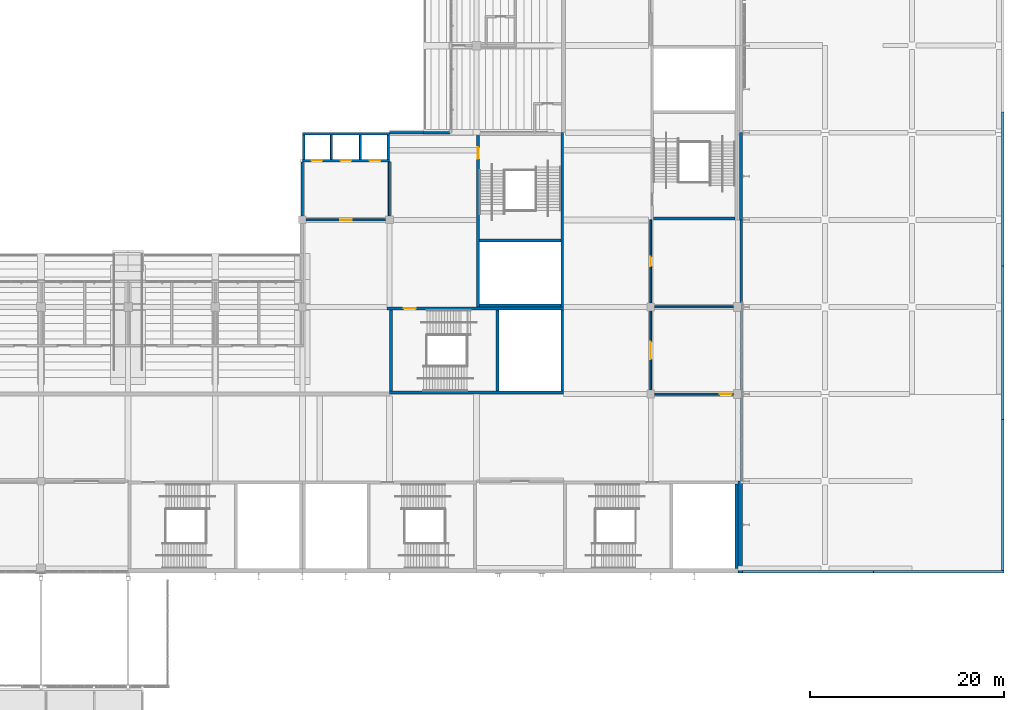
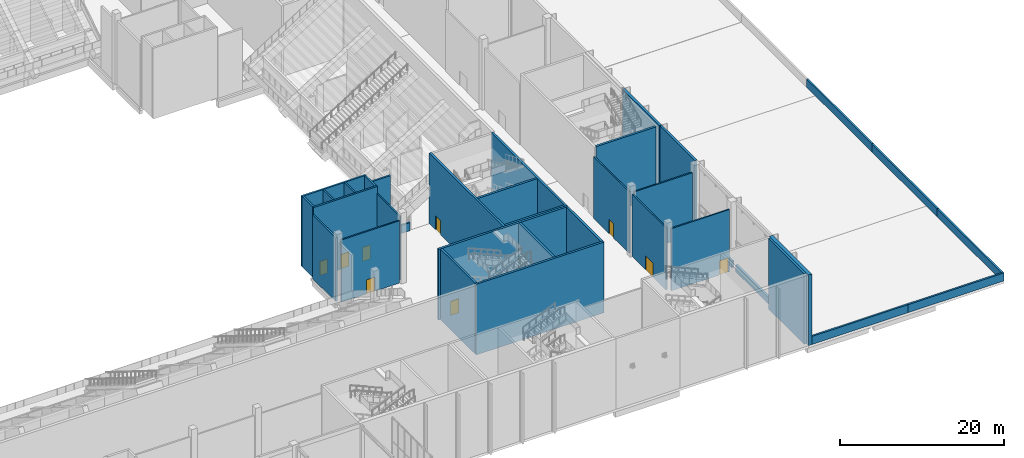
# One storey, part 88 of 182: 36 walls, 9 doors, 9 openings.
"""IFC4 building model written with IfcOpenShell, lengths in metres."""

from ifc_helpers import new_model, si_unit, direction, frame, frame_2d, origin, place, context, subcontext, project, spatial, rectangle, extrude, material, layer, layer_set, type_object, element, fill, save


model = new_model("IFC4")

# Units and contexts
model_context = context("Model", 3, precision=1e-05, world=origin(), true_north=direction((0.0, 1.0)))
body_context = subcontext(model_context, "Body", "Model", "MODEL_VIEW")
ifc_project = project(units=[si_unit("LENGTHUNIT", "METRE"), si_unit("AREAUNIT", "SQUARE_METRE"), si_unit("VOLUMEUNIT", "CUBIC_METRE"), si_unit("PLANEANGLEUNIT", "RADIAN"), si_unit("MASSUNIT", "GRAM", prefix="KILO")], contexts=[model_context])

# Site, building, storey
site_placement = place(None, origin())
site = spatial("IfcSite", under=ifc_project, at=site_placement, CompositionType="ELEMENT")
building_placement = place(site_placement, origin())
building = spatial("IfcBuilding", under=site, at=building_placement, Name="Silverbay Arena", CompositionType="ELEMENT")
storey_placement = place(building_placement, frame((0.0, 0.0, 11.5)))
storey = spatial("IfcBuildingStorey", under=building, at=storey_placement, Name="L02", CompositionType="ELEMENT", Elevation=11.5)

# Walls
ifc_material_1 = material(Name="Concrete Grade C45", Category="concrete")
ifc_layer_1 = layer(ifc_material_1, 0.25)
ifc_layer_set_1 = layer_set([ifc_layer_1], Name="Concrete Grade C45")
wall_type_1 = type_object("IfcWallType", Name="Bowl enclosure wall RC 250 EI 120", PredefinedType="SOLIDWALL", material=ifc_layer_set_1)
wall_1_placement = place(storey_placement, frame((162.0, 54.39990234375, 0.0), z_axis=(0.0, 0.0, 1.0), x_axis=(0.0, 1.0, 0.0)))
element("IfcWall", 1, at=wall_1_placement, inside=storey, type_object=wall_type_1, Name="Bowl enclosure wall, corner block SE-x", PredefinedType="SOLIDWALL", context=body_context, shape_type="SweptSolid", body=[
    extrude(rectangle(XDim=5.60009765625, YDim=0.25, at=frame_2d((2.800048828125, 0.0))), origin(), (0.0, 0.0, 1.0), 9.449951171875),
])
wall_2_placement = place(storey_placement, frame((171.0, 63.0, 0.0), z_axis=(0.0, 0.0, 1.0), x_axis=(1.0, 0.0, 0.0)))
element("IfcWall", 2, at=wall_2_placement, inside=storey, type_object=wall_type_1, Name="Bowl enclosure wall, corner block SE-y", PredefinedType="SOLIDWALL", context=body_context, shape_type="SweptSolid", body=[
    extrude(rectangle(XDim=3.5, YDim=0.25, at=frame_2d((1.75, 0.0))), origin(), (0.0, 0.0, 1.0), 9.14990234375),
])
wall_3_placement = place(storey_placement, frame((174.5, 63.0, 0.0), z_axis=(0.0, 0.0, 1.0), x_axis=(1.0, 0.0, 0.0)))
element("IfcWall", 3, at=wall_3_placement, inside=storey, type_object=wall_type_1, Name="Bowl enclosure wall, corner block SE-y", PredefinedType="SOLIDWALL", context=body_context, shape_type="SweptSolid", body=[
    extrude(rectangle(XDim=2.75, YDim=0.25, at=frame_2d((1.375, 0.0))), origin(), (0.0, 0.0, 1.0), 1.217041015625),
])
ifc_material_2 = material(Name="Concrete Grade C45 precast, light finish", Category="concrete")
ifc_layer_2 = layer(ifc_material_2, 0.300048828125)
ifc_layer_set_2 = layer_set([ifc_layer_2], Name="Concrete Grade C45 precast, light finish")
wall_type_2 = type_object("IfcWallType", Name="Cladded external wall 300", PredefinedType="SOLIDWALL", material=ifc_layer_set_2)
wall_4_placement = place(storey_placement, frame((207.35009765625, 27.0, 0.0), z_axis=(0.0, 0.0, 1.0), x_axis=(0.0, 1.0, 0.0)))
element("IfcWall", 4, at=wall_4_placement, inside=storey, type_object=wall_type_2, Name="East sill wall L02 bay 2", PredefinedType="SOLIDWALL", context=body_context, shape_type="SweptSolid", body=[
    extrude(rectangle(XDim=8.550048828125, YDim=0.300048828125, at=frame_2d((4.27490234375, 0.0))), origin(), (0.0, 0.0, 1.0), 1.0),
])
wall_5_placement = place(storey_placement, frame((207.35009765625, 36.449951171875, 0.0), z_axis=(0.0, 0.0, 1.0), x_axis=(0.0, 1.0, 0.0)))
element("IfcWall", 5, at=wall_5_placement, inside=storey, type_object=wall_type_2, Name="East sill wall L02 bay 3", PredefinedType="SOLIDWALL", context=body_context, shape_type="SweptSolid", body=[
    extrude(rectangle(XDim=8.10009765625, YDim=0.300048828125, at=frame_2d((4.050048828125, 0.0))), origin(), (0.0, 0.0, 1.0), 1.0),
])
wall_6_placement = place(storey_placement, frame((207.35009765625, 45.449951171875, 0.0), z_axis=(0.0, 0.0, 1.0), x_axis=(0.0, 1.0, 0.0)))
element("IfcWall", 6, at=wall_6_placement, inside=storey, type_object=wall_type_2, Name="East external wall L02 bay 4", PredefinedType="SOLIDWALL", context=body_context, shape_type="SweptSolid", body=[
    extrude(rectangle(XDim=8.550048828125, YDim=0.300048828125, at=frame_2d((4.27490234375, 0.0))), origin(), (0.0, 0.0, 1.0), 10.5),
])
ifc_material_3 = material(Name="Concrete Grade C45", Category="concrete")
ifc_layer_3 = layer(ifc_material_3, 0.300048828125)
ifc_layer_set_3 = layer_set([ifc_layer_3], Name="Concrete Grade C45")
wall_type_3 = type_object("IfcWallType", Name="Core wall RC 300 EI 120", PredefinedType="SHEAR", material=ifc_layer_set_3)
wall_7_placement = place(storey_placement, frame((206.85009765625, 26.699951171875, 0.0), z_axis=(0.0, 0.0, 1.0), x_axis=(0.0, -1.0, 0.0)))
element("IfcWall", 7, at=wall_7_placement, inside=storey, type_object=wall_type_3, Name="Core wall ST-S6 L02 end 2", PredefinedType="SHEAR", context=body_context, shape_type="SweptSolid", body=[
    extrude(rectangle(XDim=8.699951171875, YDim=0.300048828125, at=frame_2d((4.35009765625, 0.0))), origin(), (0.0, 0.0, 1.0), 10.5),
])
wall_8_placement = place(storey_placement, frame((198.300048828125, 54.14990234375, 0.0), z_axis=(0.0, 0.0, 1.0), x_axis=(1.0, 0.0, 0.0)))
element("IfcWall", 8, at=wall_8_placement, inside=storey, type_object=wall_type_3, Name="Core wall ST-E1 L02 end 1", PredefinedType="SHEAR", context=body_context, shape_type="SweptSolid", body=[
    extrude(rectangle(XDim=8.39990234375, YDim=0.300048828125, at=frame_2d((4.199951171875, 0.0))), origin(), (0.0, 0.0, 1.0), 10.5),
])

# Wall, opening, door
wall_9_placement = place(storey_placement, frame((170.75, 44.85009765625, 0.0), z_axis=(0.0, 0.0, 1.0), x_axis=(1.0, 0.0, 0.0)))
wall_9 = element("IfcWall", 9, at=wall_9_placement, inside=storey, type_object=wall_type_3, Name="Core wall ST-SE1 L02 door side", PredefinedType="SHEAR", context=body_context, shape_type="SweptSolid", body=[
    extrude(rectangle(XDim=18.25, YDim=0.300048828125, at=frame_2d((9.125, 0.0))), origin(), (0.0, 0.0, 1.0), 10.5),
])
opening_1_placement = place(wall_9_placement, frame((1.75, 0.0, 0.0)))
opening_1 = element("IfcOpeningElement", 10, at=opening_1_placement, cuts=wall_9, Name="Opening L02-093", PredefinedType="OPENING", context=body_context, shape_type="SweptSolid", body=[
    extrude(rectangle(XDim=1.199951171875, YDim=2.10009765625, at=frame_2d((0.60009765625, 1.050048828125))), frame((0.0, 0.16015625, 0.0), z_axis=(0.0, -1.0, 0.0), x_axis=(1.0, 0.0, 0.0)), (0.0, 0.0, 1.0), 0.320068359375),
])
ifc_material_4 = material(Name="Steel fire door", Category="steel")
door_type_1 = type_object("IfcDoorType", Name="Stair door 1200 x 2100 fire door", OperationType="SINGLE_SWING_LEFT", PredefinedType="DOOR", material=ifc_material_4)
door_1_placement = place(opening_1_placement, frame((1.199951171875, 0.0, 0.0), z_axis=(0.0, 0.0, 1.0), x_axis=(-1.0, 0.0, 0.0)))
door_1 = element("IfcDoor", 11, at=door_1_placement, inside=storey, type_object=door_type_1, Name="Stair door ST-SE1 L02", OperationType="SINGLE_SWING_RIGHT", OverallHeight=2.10009765625, OverallWidth=1.199951171875, PredefinedType="DOOR", context=body_context, shape_type="SweptSolid", body=[
    extrude(rectangle(XDim=1.199951171875, YDim=2.10009765625, at=frame_2d((0.60009765625, 1.050048828125))), frame((0.0, 0.02490234375, 0.0), z_axis=(0.0, -1.0, 0.0), x_axis=(1.0, 0.0, 0.0)), (0.0, 0.0, 1.0), 0.050048828125),
])
fill(opening_1, door_1)

# Walls
wall_10_placement = place(storey_placement, frame((171.0, 36.14990234375, 0.0), z_axis=(0.0, 0.0, 1.0), x_axis=(1.0, 0.0, 0.0)))
element("IfcWall", 12, at=wall_10_placement, inside=storey, type_object=wall_type_3, Name="Core wall ST-SE1 L02 far side", PredefinedType="SHEAR", context=body_context, shape_type="SweptSolid", body=[
    extrude(rectangle(XDim=18.0, YDim=0.300048828125, at=frame_2d((9.0, 0.0))), origin(), (0.0, 0.0, 1.0), 10.5),
])
for number, where, z_axis, x_axis, name in (
    (13, (171.14990234375, 44.699951171875, 0.0), (0.0, 0.0, 1.0), (0.0, -1.0, 0.0), "Core wall ST-SE1 L02 end 1"),
    (14, (188.85009765625, 44.699951171875, 0.0), (0.0, 0.0, 1.0), (0.0, -1.0, 0.0), "Core wall ST-SE1 L02 end 2"),
    (15, (182.14990234375, 44.699951171875, 0.0), (0.0, 0.0, 1.0), (0.0, -1.0, 0.0), "Core wall ST-SE1 L02 stair enclosure"),
):
    element("IfcWall", number, at=place(storey_placement, frame(where, z_axis=z_axis, x_axis=x_axis)), inside=storey, type_object=wall_type_3, Name=name, PredefinedType="SHEAR", context=body_context, shape_type="SweptSolid", body=[
        extrude(rectangle(XDim=8.39990234375, YDim=0.300048828125, at=frame_2d((4.199951171875, 0.0))), origin(), (0.0, 0.0, 1.0), 10.5),
    ])

# Wall, opening, door
wall_11_placement = place(storey_placement, frame((180.14990234375, 63.0, 0.0), z_axis=(0.0, 0.0, 1.0), x_axis=(0.0, -1.0, 0.0)))
wall_11 = element("IfcWall", 16, at=wall_11_placement, inside=storey, type_object=wall_type_3, Name="Core wall ST-SE2 L02 door side", PredefinedType="SHEAR", context=body_context, shape_type="SweptSolid", body=[
    extrude(rectangle(XDim=18.0, YDim=0.300048828125, at=frame_2d((9.0, 0.0))), origin(), (0.0, 0.0, 1.0), 10.5),
])
opening_2_placement = place(wall_11_placement, frame((1.5, 0.0, 0.0)))
opening_2 = element("IfcOpeningElement", 17, at=opening_2_placement, cuts=wall_11, Name="Opening L02-094", PredefinedType="OPENING", context=body_context, shape_type="SweptSolid", body=[
    extrude(rectangle(XDim=1.199951171875, YDim=2.10009765625, at=frame_2d((0.60009765625, 1.050048828125))), frame((0.0, 0.16015625, 0.0), z_axis=(0.0, -1.0, 0.0), x_axis=(1.0, 0.0, 0.0)), (0.0, 0.0, 1.0), 0.320068359375),
])
door_2_placement = place(opening_2_placement, origin())
door_2 = element("IfcDoor", 18, at=door_2_placement, inside=storey, type_object=door_type_1, Name="Stair door ST-SE2 L02", OperationType="SINGLE_SWING_LEFT", OverallHeight=2.10009765625, OverallWidth=1.199951171875, PredefinedType="DOOR", context=body_context, shape_type="SweptSolid", body=[
    extrude(rectangle(XDim=1.199951171875, YDim=2.10009765625, at=frame_2d((0.60009765625, 1.050048828125))), frame((0.0, 0.02490234375, 0.0), z_axis=(0.0, -1.0, 0.0), x_axis=(1.0, 0.0, 0.0)), (0.0, 0.0, 1.0), 0.050048828125),
])
fill(opening_2, door_2)

# Walls
wall_12_placement = place(storey_placement, frame((188.85009765625, 63.0, 0.0), z_axis=(0.0, 0.0, 1.0), x_axis=(0.0, -1.0, 0.0)))
element("IfcWall", 19, at=wall_12_placement, inside=storey, type_object=wall_type_3, Name="Core wall ST-SE2 L02 far side", PredefinedType="SHEAR", context=body_context, shape_type="SweptSolid", body=[
    extrude(rectangle(XDim=18.0, YDim=0.300048828125, at=frame_2d((9.0, 0.0))), origin(), (0.0, 0.0, 1.0), 10.5),
])
for number, where, z_axis, x_axis, name in (
    (20, (180.300048828125, 45.14990234375, 0.0), (0.0, 0.0, 1.0), (1.0, 0.0, 0.0), "Core wall ST-SE2 L02 end 2"),
    (21, (180.300048828125, 51.85009765625, 0.0), (0.0, 0.0, 1.0), (1.0, 0.0, 0.0), "Core wall ST-SE2 L02 stair enclosure"),
):
    element("IfcWall", number, at=place(storey_placement, frame(where, z_axis=z_axis, x_axis=x_axis)), inside=storey, type_object=wall_type_3, Name=name, PredefinedType="SHEAR", context=body_context, shape_type="SweptSolid", body=[
        extrude(rectangle(XDim=8.39990234375, YDim=0.300048828125, at=frame_2d((4.199951171875, 0.0))), origin(), (0.0, 0.0, 1.0), 10.5),
    ])
ifc_material_5 = material(Name="Concrete Grade C45", Category="concrete")
ifc_layer_4 = layer(ifc_material_5, 0.199951171875)
ifc_layer_set_4 = layer_set([ifc_layer_4], Name="Concrete Grade C45")
wall_type_4 = type_object("IfcWallType", Name="Lift shaft divider RC 200 EI 120", PredefinedType="SHEAR", material=ifc_layer_set_4)
for number, where, z_axis, x_axis, name in (
    (22, (165.0, 60.25, 0.0), (0.0, 0.0, 1.0), (0.0, 1.0, 0.0), "Lift shaft divider LB-SE L02 1"),
    (23, (168.0, 60.25, 0.0), (0.0, 0.0, 1.0), (0.0, 1.0, 0.0), "Lift shaft divider LB-SE L02 2"),
):
    element("IfcWall", number, at=place(storey_placement, frame(where, z_axis=z_axis, x_axis=x_axis)), inside=storey, type_object=wall_type_4, Name=name, PredefinedType="SHEAR", context=body_context, shape_type="SweptSolid", body=[
        extrude(rectangle(XDim=2.5, YDim=0.199951171875, at=frame_2d((1.25, 0.0))), origin(), (0.0, 0.0, 1.0), 10.5),
    ])

# Wall, openings, doors
ifc_material_6 = material(Name="Concrete Grade C45", Category="concrete")
ifc_layer_5 = layer(ifc_material_6, 0.25)
ifc_layer_set_5 = layer_set([ifc_layer_5], Name="Concrete Grade C45")
wall_type_5 = type_object("IfcWallType", Name="Lift shaft wall RC 250 EI 120", PredefinedType="SHEAR", material=ifc_layer_set_5)
wall_13_placement = place(storey_placement, frame((162.0, 60.125, 0.0), z_axis=(0.0, 0.0, 1.0), x_axis=(1.0, 0.0, 0.0)))
wall_13 = element("IfcWall", 24, at=wall_13_placement, inside=storey, type_object=wall_type_5, Name="Lift shaft wall LB-SE L02 landing side", PredefinedType="SHEAR", context=body_context, shape_type="SweptSolid", body=[
    extrude(rectangle(XDim=9.0, YDim=0.25, at=frame_2d((4.5, 0.0))), origin(), (0.0, 0.0, 1.0), 10.5),
])
opening_3_placement = place(wall_13_placement, frame((0.949951171875, 0.0, 0.0)))
opening_3 = element("IfcOpeningElement", 25, at=opening_3_placement, cuts=wall_13, Name="Opening L02-102", PredefinedType="OPENING", context=body_context, shape_type="SweptSolid", body=[
    extrude(rectangle(XDim=1.10009765625, YDim=2.10009765625, at=frame_2d((0.550048828125, 1.050048828125))), frame((0.0, 0.135009765625, 0.0), z_axis=(0.0, -1.0, 0.0), x_axis=(1.0, 0.0, 0.0)), (0.0, 0.0, 1.0), 0.27001953125),
])
opening_4_placement = place(wall_13_placement, frame((3.949951171875, 0.0, 0.0)))
opening_4 = element("IfcOpeningElement", 26, at=opening_4_placement, cuts=wall_13, Name="Opening L02-103", PredefinedType="OPENING", context=body_context, shape_type="SweptSolid", body=[
    extrude(rectangle(XDim=1.10009765625, YDim=2.10009765625, at=frame_2d((0.550048828125, 1.050048828125))), frame((0.0, 0.135009765625, 0.0), z_axis=(0.0, -1.0, 0.0), x_axis=(1.0, 0.0, 0.0)), (0.0, 0.0, 1.0), 0.27001953125),
])
opening_5_placement = place(wall_13_placement, frame((6.949951171875, 0.0, 0.0)))
opening_5 = element("IfcOpeningElement", 27, at=opening_5_placement, cuts=wall_13, Name="Opening L02-104", PredefinedType="OPENING", context=body_context, shape_type="SweptSolid", body=[
    extrude(rectangle(XDim=1.10009765625, YDim=2.10009765625, at=frame_2d((0.550048828125, 1.050048828125))), frame((0.0, 0.135009765625, 0.0), z_axis=(0.0, -1.0, 0.0), x_axis=(1.0, 0.0, 0.0)), (0.0, 0.0, 1.0), 0.27001953125),
])
ifc_material_7 = material(Name="Stainless steel", Category="steel")
door_type_2 = type_object("IfcDoorType", Name="LD1 lift landing door 1100 x 2100", OperationType="DOUBLE_DOOR_SLIDING", PredefinedType="DOOR", material=ifc_material_7)
door_3_placement = place(opening_3_placement, origin())
door_3 = element("IfcDoor", 28, at=door_3_placement, inside=storey, type_object=door_type_2, Name="Lift landing door LF6 L02", OperationType="DOUBLE_DOOR_SLIDING", OverallHeight=2.10009765625, OverallWidth=1.10009765625, PredefinedType="DOOR", context=body_context, shape_type="SweptSolid", body=[
    extrude(rectangle(XDim=1.10009765625, YDim=2.10009765625, at=frame_2d((0.550048828125, 1.050048828125))), frame((0.0, 0.02490234375, 0.0), z_axis=(0.0, -1.0, 0.0), x_axis=(1.0, 0.0, 0.0)), (0.0, 0.0, 1.0), 0.050048828125),
])
fill(opening_3, door_3)
door_4_placement = place(opening_4_placement, origin())
door_4 = element("IfcDoor", 29, at=door_4_placement, inside=storey, type_object=door_type_2, Name="Lift landing door LF7 L02", OperationType="DOUBLE_DOOR_SLIDING", OverallHeight=2.10009765625, OverallWidth=1.10009765625, PredefinedType="DOOR", context=body_context, shape_type="SweptSolid", body=[
    extrude(rectangle(XDim=1.10009765625, YDim=2.10009765625, at=frame_2d((0.550048828125, 1.050048828125))), frame((0.0, 0.02490234375, 0.0), z_axis=(0.0, -1.0, 0.0), x_axis=(1.0, 0.0, 0.0)), (0.0, 0.0, 1.0), 0.050048828125),
])
fill(opening_4, door_4)
door_5_placement = place(opening_5_placement, origin())
door_5 = element("IfcDoor", 30, at=door_5_placement, inside=storey, type_object=door_type_2, Name="Lift landing door LF8 L02", OperationType="DOUBLE_DOOR_SLIDING", OverallHeight=2.10009765625, OverallWidth=1.10009765625, PredefinedType="DOOR", context=body_context, shape_type="SweptSolid", body=[
    extrude(rectangle(XDim=1.10009765625, YDim=2.10009765625, at=frame_2d((0.550048828125, 1.050048828125))), frame((0.0, 0.02490234375, 0.0), z_axis=(0.0, -1.0, 0.0), x_axis=(1.0, 0.0, 0.0)), (0.0, 0.0, 1.0), 0.050048828125),
])
fill(opening_5, door_5)

# Walls
wall_14_placement = place(storey_placement, frame((162.0, 62.875, 0.0), z_axis=(0.0, 0.0, 1.0), x_axis=(1.0, 0.0, 0.0)))
element("IfcWall", 31, at=wall_14_placement, inside=storey, type_object=wall_type_5, Name="Lift shaft wall LB-SE L02 back", PredefinedType="SHEAR", context=body_context, shape_type="SweptSolid", body=[
    extrude(rectangle(XDim=9.0, YDim=0.25, at=frame_2d((4.5, 0.0))), origin(), (0.0, 0.0, 1.0), 10.5),
])
for number, where, z_axis, x_axis, name in (
    (32, (162.125, 60.25, 0.0), (0.0, 0.0, 1.0), (0.0, 1.0, 0.0), "Lift shaft wall LB-SE L02 end"),
    (33, (170.875, 60.25, 0.0), (0.0, 0.0, 1.0), (0.0, 1.0, 0.0), "Lift shaft wall LB-SE L02 end"),
):
    element("IfcWall", number, at=place(storey_placement, frame(where, z_axis=z_axis, x_axis=x_axis)), inside=storey, type_object=wall_type_5, Name=name, PredefinedType="SHEAR", context=body_context, shape_type="SweptSolid", body=[
        extrude(rectangle(XDim=2.5, YDim=0.25, at=frame_2d((1.25, 0.0))), origin(), (0.0, 0.0, 1.0), 10.5),
    ])
ifc_material_8 = material(Name="Concrete Grade C45", Category="concrete")
ifc_layer_6 = layer(ifc_material_8, 0.25)
ifc_layer_set_6 = layer_set([ifc_layer_6], Name="Concrete Grade C45")
wall_type_6 = type_object("IfcWallType", Name="Parapet wall 250", PredefinedType="PARAPET", material=ifc_layer_set_6)
for number, where, z_axis, x_axis, name in (
    (34, (207.5, 17.625, 0.0), (0.0, 0.0, 1.0), (1.0, 0.0, 0.0), "East wing parapet 1"),
    (35, (221.0, 17.625, 0.0), (0.0, 0.0, 1.0), (1.0, 0.0, 0.0), "East wing parapet 2"),
):
    element("IfcWall", number, at=place(storey_placement, frame(where, z_axis=z_axis, x_axis=x_axis)), inside=storey, type_object=wall_type_6, Name=name, PredefinedType="PARAPET", context=body_context, shape_type="SweptSolid", body=[
        extrude(rectangle(XDim=13.5, YDim=0.25, at=frame_2d((6.75, 0.0))), origin(), (0.0, 0.0, 1.0), 1.199951171875),
    ])
wall_15_placement = place(storey_placement, frame((234.375, 17.75, 0.0), z_axis=(0.0, 0.0, 1.0), x_axis=(0.0, 1.0, 0.0)))
element("IfcWall", 36, at=wall_15_placement, inside=storey, type_object=wall_type_6, Name="East wing parapet 3", PredefinedType="PARAPET", context=body_context, shape_type="SweptSolid", body=[
    extrude(rectangle(XDim=15.625, YDim=0.25, at=frame_2d((7.8125, 0.0))), origin(), (0.0, 0.0, 1.0), 1.199951171875),
])
for number, where, z_axis, x_axis, name in (
    (37, (234.375, 33.375, 0.0), (0.0, 0.0, 1.0), (0.0, 1.0, 0.0), "East wing parapet 4"),
    (38, (234.375, 49.25, 0.0), (0.0, 0.0, 1.0), (0.0, 1.0, 0.0), "East wing parapet 5"),
):
    element("IfcWall", number, at=place(storey_placement, frame(where, z_axis=z_axis, x_axis=x_axis)), inside=storey, type_object=wall_type_6, Name=name, PredefinedType="PARAPET", context=body_context, shape_type="SweptSolid", body=[
        extrude(rectangle(XDim=15.875, YDim=0.25, at=frame_2d((7.9375, 0.0))), origin(), (0.0, 0.0, 1.0), 1.199951171875),
    ])

# Wall, opening, door
ifc_material_9 = material(Name="Masonry blockwork partition", Category="masonry")
ifc_layer_7 = layer(ifc_material_9, 0.199951171875)
ifc_layer_set_7 = layer_set([ifc_layer_7], Name="Masonry blockwork partition")
wall_type_7 = type_object("IfcWallType", Name="Partition 200 EI 120", PredefinedType="PARTITIONING", material=ifc_layer_set_7)
wall_16_placement = place(storey_placement, frame((198.39990234375, 36.0, 0.0), z_axis=(0.0, 0.0, 1.0), x_axis=(1.0, 0.0, 0.0)))
wall_16 = element("IfcWall", 39, at=wall_16_placement, inside=storey, type_object=wall_type_7, Name="Partition wall", PredefinedType="PARTITIONING", context=body_context, shape_type="SweptSolid", body=[
    extrude(rectangle(XDim=8.150146484375, YDim=0.199951171875, at=frame_2d((4.0751953125, 0.0))), origin(), (0.0, 0.0, 1.0), 9.25),
])
opening_6_placement = place(wall_16_placement, frame((6.75, 0.0, 0.0)))
opening_6 = element("IfcOpeningElement", 40, at=opening_6_placement, cuts=wall_16, Name="Opening L02-069", PredefinedType="OPENING", context=body_context, shape_type="SweptSolid", body=[
    extrude(rectangle(XDim=1.199951171875, YDim=2.10009765625, at=frame_2d((0.60009765625, 1.050048828125))), frame((0.0, 0.10986328125, 0.0), z_axis=(0.0, -1.0, 0.0), x_axis=(1.0, 0.0, 0.0)), (0.0, 0.0, 1.0), 0.219970703125),
])
ifc_material_10 = material(Name="Steel faced timber", Category="steel")
door_type_3 = type_object("IfcDoorType", Name="Double leaf door 1200 x 2100 FD120", OperationType="DOUBLE_DOOR_DOUBLE_SWING", PredefinedType="DOOR", material=ifc_material_10)
door_6_placement = place(opening_6_placement, origin())
door_6 = element("IfcDoor", 41, at=door_6_placement, inside=storey, type_object=door_type_3, Name="Door L02-069", OperationType="DOUBLE_DOOR_DOUBLE_SWING", OverallHeight=2.10009765625, OverallWidth=1.199951171875, PredefinedType="DOOR", context=body_context, shape_type="SweptSolid", body=[
    extrude(rectangle(XDim=1.199951171875, YDim=2.10009765625, at=frame_2d((0.60009765625, 1.050048828125))), frame((0.0, 0.02490234375, 0.0), z_axis=(0.0, -1.0, 0.0), x_axis=(1.0, 0.0, 0.0)), (0.0, 0.0, 1.0), 0.050048828125),
])
fill(opening_6, door_6)

# Wall
wall_17_placement = place(storey_placement, frame((198.39990234375, 45.0, 0.0), z_axis=(0.0, 0.0, 1.0), x_axis=(1.0, 0.0, 0.0)))
element("IfcWall", 42, at=wall_17_placement, inside=storey, type_object=wall_type_7, Name="Partition wall", PredefinedType="PARTITIONING", context=body_context, shape_type="SweptSolid", body=[
    extrude(rectangle(XDim=8.150146484375, YDim=0.199951171875, at=frame_2d((4.0751953125, 0.0))), origin(), (0.0, 0.0, 1.0), 9.25),
])

# Wall, opening, door
wall_18_placement = place(storey_placement, frame((162.39990234375, 54.0, 0.0), z_axis=(0.0, 0.0, 1.0), x_axis=(1.0, 0.0, 0.0)))
wall_18 = element("IfcWall", 43, at=wall_18_placement, inside=storey, type_object=wall_type_7, Name="Partition wall", PredefinedType="PARTITIONING", context=body_context, shape_type="SweptSolid", body=[
    extrude(rectangle(XDim=8.2001953125, YDim=0.199951171875, at=frame_2d((4.10009765625, 0.0))), origin(), (0.0, 0.0, 1.0), 9.25),
])
opening_7_placement = place(wall_18_placement, frame((3.5, 0.0, 0.0)))
opening_7 = element("IfcOpeningElement", 44, at=opening_7_placement, cuts=wall_18, Name="Opening L02-020", PredefinedType="OPENING", context=body_context, shape_type="SweptSolid", body=[
    extrude(rectangle(XDim=1.199951171875, YDim=2.10009765625, at=frame_2d((0.60009765625, 1.050048828125))), frame((0.0, 0.10986328125, 0.0), z_axis=(0.0, -1.0, 0.0), x_axis=(1.0, 0.0, 0.0)), (0.0, 0.0, 1.0), 0.219970703125),
])
ifc_material_11 = material(Name="Steel faced timber", Category="steel")
door_type_4 = type_object("IfcDoorType", Name="Single leaf door 1200 x 2100 FD60", OperationType="SINGLE_SWING_LEFT", PredefinedType="DOOR", material=ifc_material_11)
door_7_placement = place(opening_7_placement, frame((1.199951171875, 0.0, 0.0), z_axis=(0.0, 0.0, 1.0), x_axis=(-1.0, 0.0, 0.0)))
door_7 = element("IfcDoor", 45, at=door_7_placement, inside=storey, type_object=door_type_4, Name="Door L02-020", OperationType="SINGLE_SWING_LEFT", OverallHeight=2.10009765625, OverallWidth=1.199951171875, PredefinedType="DOOR", context=body_context, shape_type="SweptSolid", body=[
    extrude(rectangle(XDim=1.199951171875, YDim=2.10009765625, at=frame_2d((0.60009765625, 1.050048828125))), frame((0.0, 0.02490234375, 0.0), z_axis=(0.0, -1.0, 0.0), x_axis=(1.0, 0.0, 0.0)), (0.0, 0.0, 1.0), 0.050048828125),
])
fill(opening_7, door_7)

# Wall
wall_19_placement = place(storey_placement, frame((171.0, 54.39990234375, 0.0), z_axis=(0.0, 0.0, 1.0), x_axis=(0.0, 1.0, 0.0)))
element("IfcWall", 46, at=wall_19_placement, inside=storey, type_object=wall_type_7, Name="Partition wall", PredefinedType="PARTITIONING", context=body_context, shape_type="SweptSolid", body=[
    extrude(rectangle(XDim=5.60009765625, YDim=0.199951171875, at=frame_2d((2.800048828125, 0.0))), origin(), (0.0, 0.0, 1.0), 9.449951171875),
])

# Wall, opening, door
wall_20_placement = place(storey_placement, frame((198.0, 36.39990234375, 0.0), z_axis=(0.0, 0.0, 1.0), x_axis=(0.0, 1.0, 0.0)))
wall_20 = element("IfcWall", 47, at=wall_20_placement, inside=storey, type_object=wall_type_7, Name="Partition wall", PredefinedType="PARTITIONING", context=body_context, shape_type="SweptSolid", body=[
    extrude(rectangle(XDim=8.2001953125, YDim=0.199951171875, at=frame_2d((4.10009765625, 0.0))), origin(), (0.0, 0.0, 1.0), 9.25),
])
opening_8_placement = place(wall_20_placement, frame((3.199951171875, 0.0, 0.0)))
opening_8 = element("IfcOpeningElement", 48, at=opening_8_placement, cuts=wall_20, Name="Opening L02-013", PredefinedType="OPENING", context=body_context, shape_type="SweptSolid", body=[
    extrude(rectangle(XDim=1.800048828125, YDim=2.10009765625, at=frame_2d((0.89990234375, 1.050048828125))), frame((0.0, 0.10986328125, 0.0), z_axis=(0.0, -1.0, 0.0), x_axis=(1.0, 0.0, 0.0)), (0.0, 0.0, 1.0), 0.219970703125),
])
ifc_material_12 = material(Name="Steel faced timber", Category="steel")
door_type_5 = type_object("IfcDoorType", Name="Double leaf door 1800 x 2100 FD120", OperationType="DOUBLE_DOOR_DOUBLE_SWING", PredefinedType="DOOR", material=ifc_material_12)
door_8_placement = place(opening_8_placement, frame((1.800048828125, 0.0, 0.0), z_axis=(0.0, 0.0, 1.0), x_axis=(-1.0, 0.0, 0.0)))
door_8 = element("IfcDoor", 49, at=door_8_placement, inside=storey, type_object=door_type_5, Name="Door L02-013", OperationType="DOUBLE_DOOR_DOUBLE_SWING", OverallHeight=2.10009765625, OverallWidth=1.800048828125, PredefinedType="DOOR", context=body_context, shape_type="SweptSolid", body=[
    extrude(rectangle(XDim=1.800048828125, YDim=2.10009765625, at=frame_2d((0.89990234375, 1.050048828125))), frame((0.0, 0.02490234375, 0.0), z_axis=(0.0, -1.0, 0.0), x_axis=(1.0, 0.0, 0.0)), (0.0, 0.0, 1.0), 0.050048828125),
])
fill(opening_8, door_8)

wall_21_placement = place(storey_placement, frame((198.0, 45.39990234375, 0.0), z_axis=(0.0, 0.0, 1.0), x_axis=(0.0, 1.0, 0.0)))
wall_21 = element("IfcWall", 50, at=wall_21_placement, inside=storey, type_object=wall_type_7, Name="Partition wall", PredefinedType="PARTITIONING", context=body_context, shape_type="SweptSolid", body=[
    extrude(rectangle(XDim=8.60009765625, YDim=0.199951171875, at=frame_2d((4.300048828125, 0.0))), origin(), (0.0, 0.0, 1.0), 9.14990234375),
])
opening_9_placement = place(wall_21_placement, frame((3.800048828125, 0.0, 0.0)))
opening_9 = element("IfcOpeningElement", 51, at=opening_9_placement, cuts=wall_21, Name="Opening L02-014", PredefinedType="OPENING", context=body_context, shape_type="SweptSolid", body=[
    extrude(rectangle(XDim=1.0, YDim=2.10009765625, at=frame_2d((0.5, 1.050048828125))), frame((0.0, 0.10986328125, 0.0), z_axis=(0.0, -1.0, 0.0), x_axis=(1.0, 0.0, 0.0)), (0.0, 0.0, 1.0), 0.219970703125),
])
ifc_material_13 = material(Name="Steel faced timber", Category="steel")
door_type_6 = type_object("IfcDoorType", Name="Single leaf door 1000 x 2100 FD120", OperationType="SINGLE_SWING_LEFT", PredefinedType="DOOR", material=ifc_material_13)
door_9_placement = place(opening_9_placement, frame((1.0, 0.0, 0.0), z_axis=(0.0, 0.0, 1.0), x_axis=(-1.0, 0.0, 0.0)))
door_9 = element("IfcDoor", 52, at=door_9_placement, inside=storey, type_object=door_type_6, Name="Door L02-014", OperationType="SINGLE_SWING_LEFT", OverallHeight=2.10009765625, OverallWidth=1.0, PredefinedType="DOOR", context=body_context, shape_type="SweptSolid", body=[
    extrude(rectangle(XDim=1.0, YDim=2.10009765625, at=frame_2d((0.5, 1.050048828125))), frame((0.0, 0.02490234375, 0.0), z_axis=(0.0, -1.0, 0.0), x_axis=(1.0, 0.0, 0.0)), (0.0, 0.0, 1.0), 0.050048828125),
])
fill(opening_9, door_9)

# Walls
ifc_material_14 = material(Name="Concrete Grade C45", Category="concrete")
ifc_layer_8 = layer(ifc_material_14, 0.35009765625)
ifc_layer_set_8 = layer_set([ifc_layer_8], Name="Concrete Grade C45")
wall_type_8 = type_object("IfcWallType", Name="Stair core facade wall 350", PredefinedType="SOLIDWALL", material=ifc_layer_set_8)
wall_22_placement = place(storey_placement, frame((207.324951171875, 54.0, 0.0), z_axis=(0.0, 0.0, 1.0), x_axis=(0.0, 1.0, 0.0)))
element("IfcWall", 53, at=wall_22_placement, inside=storey, type_object=wall_type_8, Name="East external wall L02 bay 5", PredefinedType="SOLIDWALL", context=body_context, shape_type="SweptSolid", body=[
    extrude(rectangle(XDim=9.0, YDim=0.35009765625, at=frame_2d((4.5, 0.0))), origin(), (0.0, 0.0, 1.0), 10.5),
])
ifc_material_15 = material(Name="Concrete Grade C45", Category="concrete")
ifc_layer_9 = layer(ifc_material_15, 0.5)
ifc_layer_set_9 = layer_set([ifc_layer_9], Name="Concrete Grade C45")
wall_type_9 = type_object("IfcWallType", Name="Stair core facade wall 500", PredefinedType="SOLIDWALL", material=ifc_layer_set_9)
wall_23_placement = place(storey_placement, frame((207.25, 17.5, 0.0), z_axis=(0.0, 0.0, 1.0), x_axis=(0.0, 1.0, 0.0)))
element("IfcWall", 54, at=wall_23_placement, inside=storey, type_object=wall_type_9, Name="East stair core facade wall L02 bay 1", PredefinedType="SOLIDWALL", context=body_context, shape_type="SweptSolid", body=[
    extrude(rectangle(XDim=9.5, YDim=0.5, at=frame_2d((4.75, 0.0))), origin(), (0.0, 0.0, 1.0), 10.5),
])

save(model, "model.ifc")
